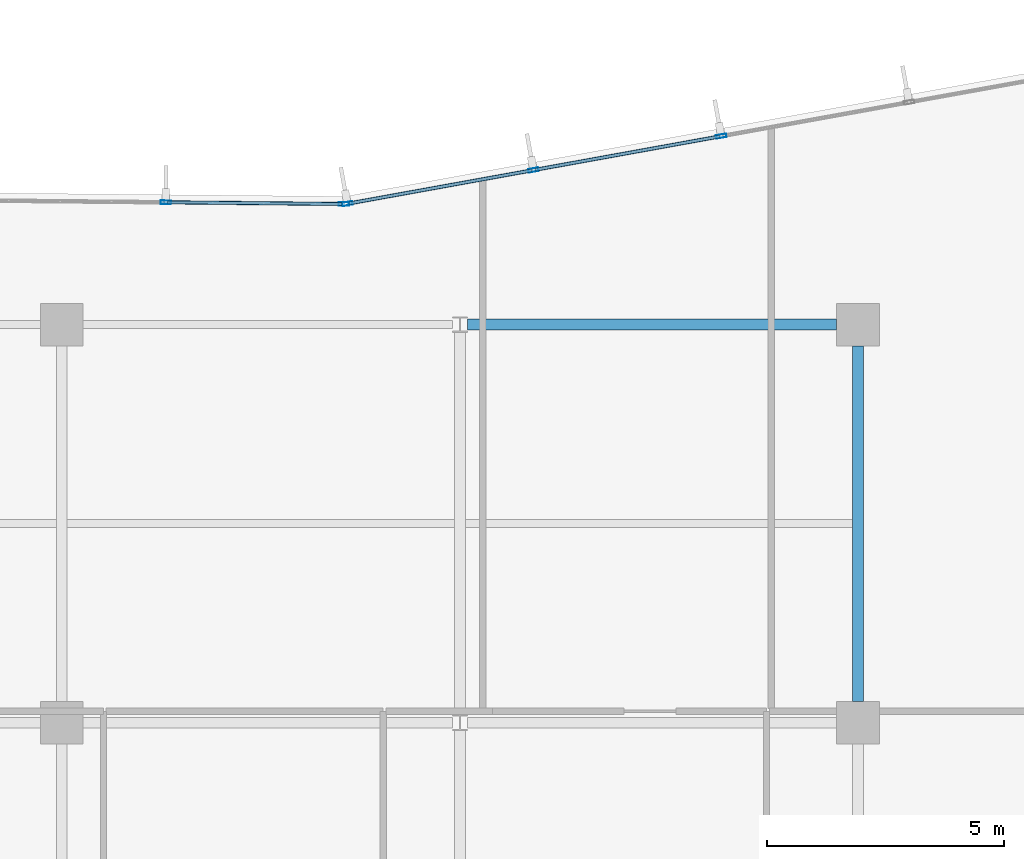
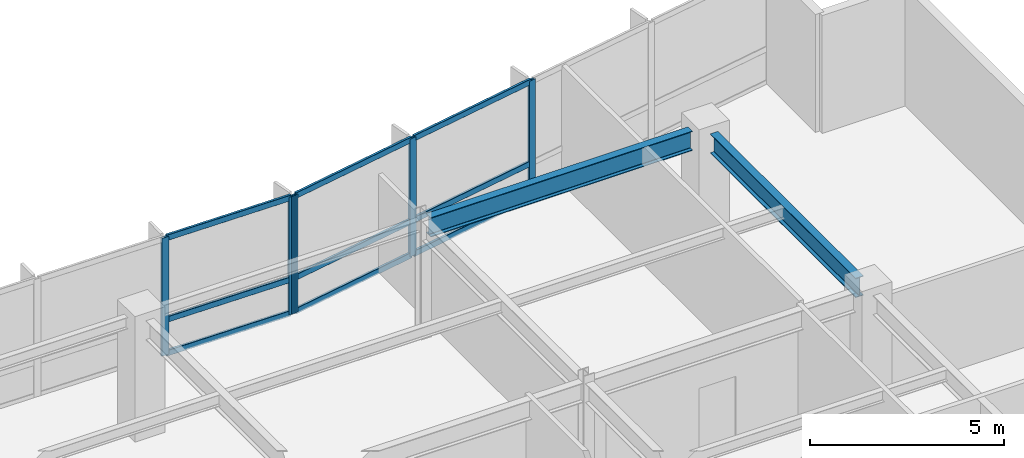
# One storey, part 6 of 18: 14 members, 2 beams, 2 elements without a shape of their own.
"""IFC4 building model written with IfcOpenShell, lengths in metres."""

from ifc_helpers import new_model, si_unit, direction, frame, origin, origin_2d, place, context, subcontext, project, spatial, hollow_rectangle, i_section, extrude, material, layer, layer_set, material_profile, profile_set, type_object, element, aggregate, save


model = new_model("IFC4")

# Units and contexts
model_context = context("Model", 3, precision=1e-05, world=origin(), true_north=direction((0.0, 1.0)))
body_context = subcontext(model_context, "Body", "Model", "MODEL_VIEW")
ifc_project = project(units=[si_unit("LENGTHUNIT", "METRE"), si_unit("AREAUNIT", "SQUARE_METRE"), si_unit("VOLUMEUNIT", "CUBIC_METRE"), si_unit("PLANEANGLEUNIT", "RADIAN"), si_unit("MASSUNIT", "GRAM", prefix="KILO")], contexts=[model_context])

# Site, building, storey
site_placement = place(None, origin())
site = spatial("IfcSite", under=ifc_project, at=site_placement, CompositionType="ELEMENT")
building_placement = place(site_placement, origin())
building = spatial("IfcBuilding", under=site, at=building_placement, Name="Varnakote Quay Hospital", CompositionType="ELEMENT")
storey_placement = place(building_placement, frame((0.0, 0.0, 69.89990234375)))
storey = spatial("IfcBuildingStorey", under=building, at=storey_placement, Name="L17", CompositionType="ELEMENT", Elevation=69.89990234375)

# Beams
ifc_material_1 = material(Name="Structural steel AS/NZS 3679.1 Grade 350 L0 (fy 340 MPa)", Category="steel")
ifc_material_profile_1 = material_profile(ifc_material_1, i_section(OverallWidth=0.22900390625, OverallDepth=0.612060546875, WebThickness=0.011962890625, FlangeThickness=0.01953125, FilletRadius=0.013916015625, at=origin_2d()), Name="610UB125")
ifc_profile_set_1 = profile_set([ifc_material_profile_1], Name="Structural steel AS/NZS 3679.1 Grade 350 L0 (fy 340 MPa)")
beam_type = type_object("IfcBeamType", Name="BM-STL-610UB125", PredefinedType="BEAM", material=ifc_profile_set_1)
beam_1_placement = place(storey_placement, frame((42.155517578125, 28.800048828125, 3.404052734375), z_axis=(1.0, 0.0, 0.0), x_axis=(0.0, 1.0, 0.0)))
element("IfcBeam", 1, at=beam_1_placement, inside=storey, type_object=beam_type, Name="L17 Primary Floor Beam", PredefinedType="BEAM", context=body_context, shape_type="SweptSolid", body=[
    extrude(i_section(OverallWidth=0.22900390625, OverallDepth=0.612060546875, WebThickness=0.011962890625, FlangeThickness=0.01953125, FilletRadius=0.013916015625, at=origin_2d()), origin(), (0.0, 0.0, 1.0), 7.79443359375),
])
beam_2_placement = place(storey_placement, frame((50.39990234375, 20.85009765625, 3.404052734375), z_axis=(0.0, 1.0, 0.0), x_axis=(-1.0, 0.0, 0.0)))
element("IfcBeam", 2, at=beam_2_placement, inside=storey, type_object=beam_type, Name="L17 Primary Tie Beam", PredefinedType="BEAM", context=body_context, shape_type="SweptSolid", body=[
    extrude(i_section(OverallWidth=0.22900390625, OverallDepth=0.612060546875, WebThickness=0.011962890625, FlangeThickness=0.01953125, FilletRadius=0.013916015625, at=origin_2d()), origin(), (0.0, 0.0, 1.0), 7.5),
])

# Curtain wall, members
ifc_material_2 = material(Name="Anodised aluminium 6063-T6 Bronze", Category="aluminium")
ifc_layer = layer(ifc_material_2, 0.18994140625)
ifc_layer_set = layer_set([ifc_layer], Name="Anodised aluminium 6063-T6 Bronze")
curtain_wall_type = type_object("IfcCurtainWallType", Name="CW-SYS-2", PredefinedType="NOTDEFINED", material=ifc_layer_set)
curtain_wall_1_placement = place(storey_placement, origin())
curtain_wall_1 = element("IfcCurtainWall", 3, at=curtain_wall_1_placement, inside=storey, type_object=curtain_wall_type, Name="L17 Unitised Bronze Curtain Wall 1", PredefinedType="NOTDEFINED")
ifc_material_3 = material(Name="Anodised aluminium 6063-T6 Bronze", Category="aluminium")
ifc_material_profile_2 = material_profile(ifc_material_3, hollow_rectangle(XDim=0.074951171875, YDim=0.219970703125, WallThickness=0.00439453125, InnerFilletRadius=0.00439453125, OuterFilletRadius=0.009033203125, at=origin_2d()), Name="CW-MULL-220x75")
ifc_profile_set_2 = profile_set([ifc_material_profile_2], Name="Anodised aluminium 6063-T6 Bronze")
member_type_1 = type_object("IfcMemberType", Name="CW-MULL-220x75", PredefinedType="MULLION", material=ifc_profile_set_2)
member_1_placement = place(storey_placement, frame((47.514892578125, 32.776123046875, 0.0), z_axis=(0.0, 0.0, 1.0), x_axis=(0.177846199098, -0.984058295766, 0.0)))
member_1 = element("IfcMember", 4, at=member_1_placement, type_object=member_type_1, Name="-2-L17-1 mullion 3", PredefinedType="MULLION", context=body_context, shape_type="SweptSolid", body=[
    extrude(hollow_rectangle(XDim=0.074951171875, YDim=0.219970703125, WallThickness=0.00439453125, InnerFilletRadius=0.00439453125, OuterFilletRadius=0.009033203125, at=origin_2d()), origin(), (0.0, 0.0, 1.0), 3.710205078125),
])
member_2_placement = place(storey_placement, frame((43.55224609375, 32.06005859375, 0.0), z_axis=(0.0, 0.0, 1.0), x_axis=(0.177846199098, -0.984058295766, 0.0)))
member_2 = element("IfcMember", 5, at=member_2_placement, type_object=member_type_1, Name="-2-L17-1 mullion 4", PredefinedType="MULLION", context=body_context, shape_type="SweptSolid", body=[
    extrude(hollow_rectangle(XDim=0.074951171875, YDim=0.219970703125, WallThickness=0.00439453125, InnerFilletRadius=0.00439453125, OuterFilletRadius=0.009033203125, at=origin_2d()), origin(), (0.0, 0.0, 1.0), 3.710205078125),
])
member_3_placement = place(storey_placement, frame((39.62646484375, 31.3505859375, 0.0), z_axis=(0.0, 0.0, 1.0), x_axis=(0.177846199098, -0.984058295766, 0.0)))
member_3 = element("IfcMember", 6, at=member_3_placement, type_object=member_type_1, Name="-2-L17-1 mullion 5", PredefinedType="MULLION", context=body_context, shape_type="SweptSolid", body=[
    extrude(hollow_rectangle(XDim=0.074951171875, YDim=0.219970703125, WallThickness=0.00439453125, InnerFilletRadius=0.00439453125, OuterFilletRadius=0.009033203125, at=origin_2d()), origin(), (0.0, 0.0, 1.0), 3.710205078125),
])

curtain_wall_2_placement = place(storey_placement, origin())
curtain_wall_2 = element("IfcCurtainWall", 7, at=curtain_wall_2_placement, inside=storey, type_object=curtain_wall_type, Name="L17 Unitised Bronze Curtain Wall 2", PredefinedType="NOTDEFINED")
member_4_placement = place(storey_placement, frame((39.552001953125, 31.34423828125, 0.0), z_axis=(0.0, 0.0, 1.0), x_axis=(-0.009774266312, -0.999952230718, 0.0)))
member_4 = element("IfcMember", 8, at=member_4_placement, type_object=member_type_1, Name="-2-L17-2 mullion 1", PredefinedType="MULLION", context=body_context, shape_type="SweptSolid", body=[
    extrude(hollow_rectangle(XDim=0.074951171875, YDim=0.219970703125, WallThickness=0.00439453125, InnerFilletRadius=0.00439453125, OuterFilletRadius=0.009033203125, at=origin_2d()), origin(), (0.0, 0.0, 1.0), 3.710205078125),
])
member_5_placement = place(storey_placement, frame((35.794189453125, 31.381103515625, 0.0), z_axis=(0.0, 0.0, 1.0), x_axis=(-0.009774266312, -0.999952230718, 0.0)))
member_5 = element("IfcMember", 9, at=member_5_placement, type_object=member_type_1, Name="-2-L17-2 mullion 2", PredefinedType="MULLION", context=body_context, shape_type="SweptSolid", body=[
    extrude(hollow_rectangle(XDim=0.074951171875, YDim=0.219970703125, WallThickness=0.00439453125, InnerFilletRadius=0.00439453125, OuterFilletRadius=0.009033203125, at=origin_2d()), origin(), (0.0, 0.0, 1.0), 3.710205078125),
])

# Member
ifc_material_4 = material(Name="Anodised aluminium 6063-T6 Bronze", Category="aluminium")
ifc_material_profile_3 = material_profile(ifc_material_4, hollow_rectangle(XDim=0.074951171875, YDim=0.179931640625, WallThickness=0.004150390625, InnerFilletRadius=0.004150390625, OuterFilletRadius=0.00830078125, at=origin_2d()), Name="CW-TRAN-180x75")
ifc_profile_set_3 = profile_set([ifc_material_profile_3], Name="Anodised aluminium 6063-T6 Bronze")
member_type_2 = type_object("IfcMemberType", Name="CW-TRAN-180x75", PredefinedType="USERDEFINED", material=ifc_profile_set_3)
member_6_placement = place(storey_placement, frame((47.477783203125, 32.76953125, 0.03759765625), z_axis=(-0.98405423478, -0.177868667876, 0.0), x_axis=(0.177868667876, -0.98405423478, 0.0)))
member_6 = element("IfcMember", 10, at=member_6_placement, type_object=member_type_2, Name="-2-L17-1 transom 3.1", ObjectType="TRANSOM", PredefinedType="USERDEFINED", context=body_context, shape_type="SweptSolid", body=[
    extrude(hollow_rectangle(XDim=0.074951171875, YDim=0.179931640625, WallThickness=0.004150390625, InnerFilletRadius=0.004150390625, OuterFilletRadius=0.00830078125, at=origin_2d()), origin(), (0.0, 0.0, 1.0), 3.95166015625),
])

member_7_placement = place(storey_placement, frame((47.477783203125, 32.76953125, 1.10009765625), z_axis=(-0.98405423478, -0.177868667876, 0.0), x_axis=(0.177868667876, -0.98405423478, 0.0)))
member_7 = element("IfcMember", 11, at=member_7_placement, type_object=member_type_2, Name="-2-L17-1 transom 3.2", ObjectType="TRANSOM", PredefinedType="USERDEFINED", context=body_context, shape_type="SweptSolid", body=[
    extrude(hollow_rectangle(XDim=0.074951171875, YDim=0.179931640625, WallThickness=0.004150390625, InnerFilletRadius=0.004150390625, OuterFilletRadius=0.00830078125, at=origin_2d()), origin(), (0.0, 0.0, 1.0), 3.95166015625),
])

member_8_placement = place(storey_placement, frame((47.477783203125, 32.76953125, 3.672607421875), z_axis=(-0.98405423478, -0.177868667876, 0.0), x_axis=(0.177868667876, -0.98405423478, 0.0)))
member_8 = element("IfcMember", 12, at=member_8_placement, type_object=member_type_2, Name="-2-L17-1 transom 3.3", ObjectType="TRANSOM", PredefinedType="USERDEFINED", context=body_context, shape_type="SweptSolid", body=[
    extrude(hollow_rectangle(XDim=0.074951171875, YDim=0.179931640625, WallThickness=0.004150390625, InnerFilletRadius=0.004150390625, OuterFilletRadius=0.00830078125, at=origin_2d()), origin(), (0.0, 0.0, 1.0), 3.95166015625),
])

member_9_placement = place(storey_placement, frame((43.515380859375, 32.053466796875, 0.03759765625), z_axis=(-0.984053005206, -0.177875470329, 0.0), x_axis=(0.177875470329, -0.984053005206, 0.0)))
member_9 = element("IfcMember", 13, at=member_9_placement, type_object=member_type_2, Name="-2-L17-1 transom 4.1", ObjectType="TRANSOM", PredefinedType="USERDEFINED", context=body_context, shape_type="SweptSolid", body=[
    extrude(hollow_rectangle(XDim=0.074951171875, YDim=0.179931640625, WallThickness=0.004150390625, InnerFilletRadius=0.004150390625, OuterFilletRadius=0.00830078125, at=origin_2d()), origin(), (0.0, 0.0, 1.0), 3.91455078125),
])

member_10_placement = place(storey_placement, frame((43.515380859375, 32.053466796875, 1.10009765625), z_axis=(-0.984053005206, -0.177875470329, 0.0), x_axis=(0.177875470329, -0.984053005206, 0.0)))
member_10 = element("IfcMember", 14, at=member_10_placement, type_object=member_type_2, Name="-2-L17-1 transom 4.2", ObjectType="TRANSOM", PredefinedType="USERDEFINED", context=body_context, shape_type="SweptSolid", body=[
    extrude(hollow_rectangle(XDim=0.074951171875, YDim=0.179931640625, WallThickness=0.004150390625, InnerFilletRadius=0.004150390625, OuterFilletRadius=0.00830078125, at=origin_2d()), origin(), (0.0, 0.0, 1.0), 3.91455078125),
])

member_11_placement = place(storey_placement, frame((43.515380859375, 32.053466796875, 3.672607421875), z_axis=(-0.984053005206, -0.177875470329, 0.0), x_axis=(0.177875470329, -0.984053005206, 0.0)))
member_11 = element("IfcMember", 15, at=member_11_placement, type_object=member_type_2, Name="-2-L17-1 transom 4.3", ObjectType="TRANSOM", PredefinedType="USERDEFINED", context=body_context, shape_type="SweptSolid", body=[
    extrude(hollow_rectangle(XDim=0.074951171875, YDim=0.179931640625, WallThickness=0.004150390625, InnerFilletRadius=0.004150390625, OuterFilletRadius=0.00830078125, at=origin_2d()), origin(), (0.0, 0.0, 1.0), 3.91455078125),
])

aggregate(curtain_wall_1, [member_1, member_2, member_3, member_6, member_7, member_8, member_9, member_10, member_11])

member_12_placement = place(storey_placement, frame((39.5146484375, 31.3447265625, 0.03759765625), z_axis=(-0.99995252931, 0.009743671073, 0.0), x_axis=(-0.009743671073, -0.99995252931, 0.0)))
member_12 = element("IfcMember", 16, at=member_12_placement, type_object=member_type_2, Name="-2-L17-2 transom 1.1", ObjectType="TRANSOM", PredefinedType="USERDEFINED", context=body_context, shape_type="SweptSolid", body=[
    extrude(hollow_rectangle(XDim=0.074951171875, YDim=0.179931640625, WallThickness=0.004150390625, InnerFilletRadius=0.004150390625, OuterFilletRadius=0.00830078125, at=origin_2d()), origin(), (0.0, 0.0, 1.0), 3.683349609375),
])

member_13_placement = place(storey_placement, frame((39.5146484375, 31.3447265625, 1.10009765625), z_axis=(-0.99995252931, 0.009743671073, 0.0), x_axis=(-0.009743671073, -0.99995252931, 0.0)))
member_13 = element("IfcMember", 17, at=member_13_placement, type_object=member_type_2, Name="-2-L17-2 transom 1.2", ObjectType="TRANSOM", PredefinedType="USERDEFINED", context=body_context, shape_type="SweptSolid", body=[
    extrude(hollow_rectangle(XDim=0.074951171875, YDim=0.179931640625, WallThickness=0.004150390625, InnerFilletRadius=0.004150390625, OuterFilletRadius=0.00830078125, at=origin_2d()), origin(), (0.0, 0.0, 1.0), 3.683349609375),
])

member_14_placement = place(storey_placement, frame((39.5146484375, 31.3447265625, 3.672607421875), z_axis=(-0.99995252931, 0.009743671073, 0.0), x_axis=(-0.009743671073, -0.99995252931, 0.0)))
member_14 = element("IfcMember", 18, at=member_14_placement, type_object=member_type_2, Name="-2-L17-2 transom 1.3", ObjectType="TRANSOM", PredefinedType="USERDEFINED", context=body_context, shape_type="SweptSolid", body=[
    extrude(hollow_rectangle(XDim=0.074951171875, YDim=0.179931640625, WallThickness=0.004150390625, InnerFilletRadius=0.004150390625, OuterFilletRadius=0.00830078125, at=origin_2d()), origin(), (0.0, 0.0, 1.0), 3.683349609375),
])

aggregate(curtain_wall_2, [member_4, member_5, member_12, member_13, member_14])

save(model, "model.ifc")
